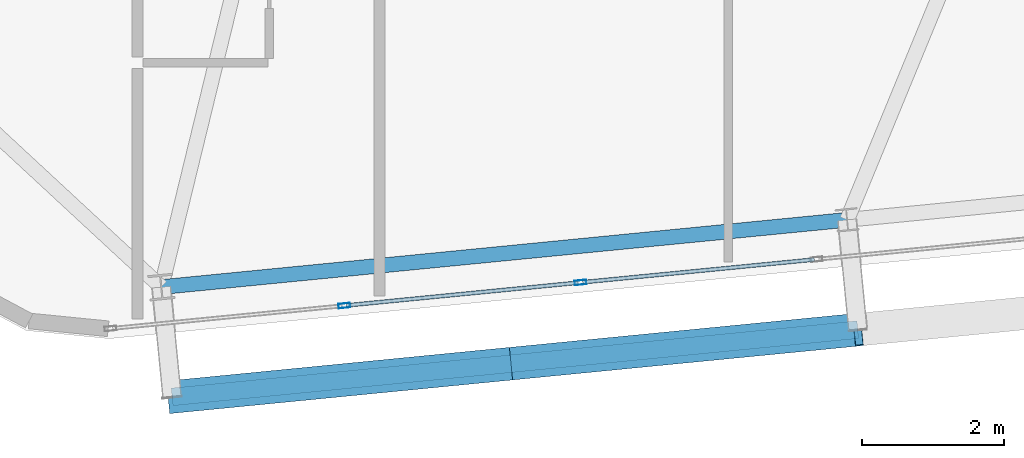
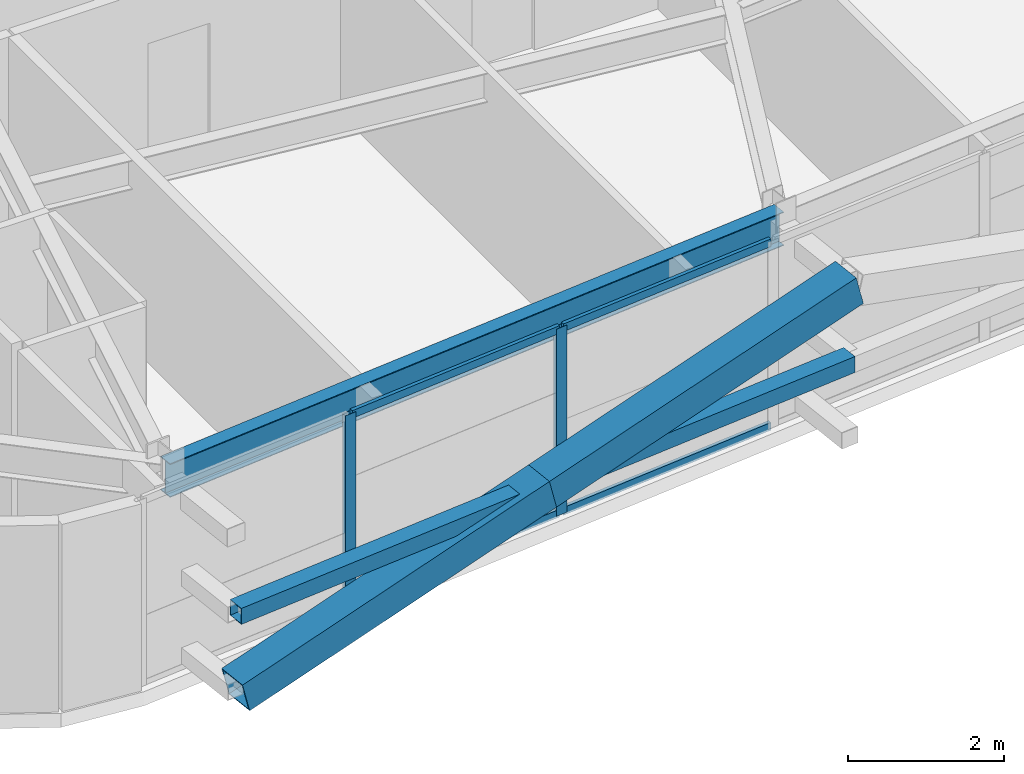
# One storey, part 6 of 53: 9 members, 1 beam, 1 element without a shape of its own.
"""IFC4 building model written with IfcOpenShell, lengths in metres."""

from ifc_helpers import new_model, si_unit, direction, frame, origin, origin_2d, place, context, subcontext, project, spatial, hollow_rectangle, i_section, extrude, source, transform, mapped, material, layer, layer_set, material_profile, profile_set, type_object, element, aggregate, save


model = new_model("IFC4")

# Units and contexts
model_context = context("Model", 3, precision=1e-05, world=origin(), true_north=direction((0.0, 1.0)))
body_context = subcontext(model_context, "Body", "Model", "MODEL_VIEW")
ifc_project = project(units=[si_unit("LENGTHUNIT", "METRE"), si_unit("AREAUNIT", "SQUARE_METRE"), si_unit("VOLUMEUNIT", "CUBIC_METRE"), si_unit("PLANEANGLEUNIT", "RADIAN"), si_unit("MASSUNIT", "GRAM", prefix="KILO")], contexts=[model_context])

# Site, building, storey
site_placement = place(None, origin())
site = spatial("IfcSite", under=ifc_project, at=site_placement, CompositionType="ELEMENT")
building_placement = place(site_placement, origin())
building = spatial("IfcBuilding", under=site, at=building_placement, Name="Taldren Reach Tower", CompositionType="ELEMENT")
storey_placement = place(building_placement, frame((0.0, 0.0, 68.25)))
storey = spatial("IfcBuildingStorey", under=building, at=storey_placement, Name="L20", CompositionType="ELEMENT", Elevation=68.25)

# Beam
ifc_material_1 = material(Name="Steel Gr 350 (350PLUS)", Category="steel")
ifc_material_profile_1 = material_profile(ifc_material_1, i_section(OverallWidth=0.208984375, OverallDepth=0.528076171875, WebThickness=0.009521484375, FlangeThickness=0.01318359375, at=origin_2d()), Name="530UB82.0")
ifc_profile_set_1 = profile_set([ifc_material_profile_1], Name="Steel Gr 350 (350PLUS)")
beam_type = type_object("IfcBeamType", Name="SP-UB530B", PredefinedType="SPANDREL", material=ifc_profile_set_1)
shared_shape_1 = source(origin(), body_context, "Body", "SweptSolid", [
    extrude(i_section(OverallWidth=0.208984375, OverallDepth=0.528076171875, WebThickness=0.009521484375, FlangeThickness=0.01318359375, at=origin_2d()), origin(), (0.0, 0.0, 1.0), 9.679931640625),
])
beam_placement = place(storey_placement, frame((14.93408203125, -0.079833984375, 2.666015625), z_axis=(0.995227612658, 0.097580730699, 0.0), x_axis=(-0.097580730699, 0.995227612658, 0.0)))
element("IfcBeam", 1, at=beam_placement, inside=storey, type_object=beam_type, Name="Perimeter spandrel B2 S1-S2 L20", PredefinedType="SPANDREL", context=body_context, shape_type="MappedRepresentation", body=[
    mapped(shared_shape_1, transform((0.0, 0.0, 0.0), scale=1.0)),
])

# Members
ifc_material_2 = material(Name="Steel Gr 450 (C450L0)", Category="steel")
ifc_material_profile_2 = material_profile(ifc_material_2, hollow_rectangle(XDim=0.4599609375, YDim=0.4599609375, WallThickness=0.01611328125, at=origin_2d()), Name="460x460x16.0SHS")
ifc_profile_set_2 = profile_set([ifc_material_profile_2], Name="Steel Gr 450 (C450L0)")
member_type_1 = type_object("IfcMemberType", Name="MB-EXO457", PredefinedType="BRACE", material=ifc_profile_set_2)
shared_shape_2 = source(origin(), body_context, "Body", "SweptSolid", [
    extrude(hollow_rectangle(XDim=0.4599609375, YDim=0.4599609375, WallThickness=0.01611328125, at=origin_2d()), origin(), (0.0, 0.0, 1.0), 4.990234375),
])
for number, where, z_axis, x_axis, name in (
    (2, (15.08544921875, -1.62255859375, 0.219970703125), (0.965271056716, 0.094667992638, 0.243494883389), (-0.097605711627, 0.995225162995, 0.0), "Exoskeleton Diagrid Brace B2-S1 L20"),
    (3, (19.90234375, -1.150146484375, 1.43505859375), (0.965287024526, 0.094620633828, 0.24344998652), (-0.097555749586, 0.995230061706, 0.0), "Exoskeleton Diagrid Brace B2-S1 L20"),
):
    element("IfcMember", number, at=place(storey_placement, frame(where, z_axis=z_axis, x_axis=x_axis)), inside=storey, type_object=member_type_1, Name=name, PredefinedType="BRACE", context=body_context, shape_type="MappedRepresentation", body=[
        mapped(shared_shape_2, transform((0.0, 0.0, 0.0), scale=1.0)),
    ])
ifc_material_3 = material(Name="Steel Gr 350 (C350L0)", Category="steel")
ifc_material_profile_3 = material_profile(ifc_material_3, hollow_rectangle(XDim=0.25, YDim=0.25, WallThickness=0.010009765625, at=origin_2d()), Name="250x250x10.0SHS")
ifc_profile_set_3 = profile_set([ifc_material_profile_3], Name="Steel Gr 350 (C350L0)")
member_type_2 = type_object("IfcMemberType", Name="MB-POST250", PredefinedType="POST", material=ifc_profile_set_3)
shared_shape_3 = source(origin(), body_context, "Body", "SweptSolid", [
    extrude(hollow_rectangle(XDim=0.25, YDim=0.25, WallThickness=0.010009765625, at=origin_2d()), origin(), (0.0, 0.0, 1.0), 9.679931640625),
])
member_1_placement = place(storey_placement, frame((15.08544921875, -1.62255859375, 1.43505859375), z_axis=(0.995227612658, 0.097580730699, 0.0), x_axis=(-0.097580730699, 0.995227612658, 0.0)))
element("IfcMember", 4, at=member_1_placement, inside=storey, type_object=member_type_2, Name="Exoskeleton mid-height ring chord B2-S1 L20", PredefinedType="POST", context=body_context, shape_type="MappedRepresentation", body=[
    mapped(shared_shape_3, transform((0.0, 0.0, 0.0), scale=1.0)),
])

# Curtain wall, members
ifc_material_4 = material(Name="Aluminium and Low-E Glass Unitised System", Category="aluminium")
ifc_layer = layer(ifc_material_4, 0.159912109375)
ifc_layer_set = layer_set([ifc_layer], Name="Aluminium and Low-E Glass Unitised System")
curtain_wall_type = type_object("IfcCurtainWallType", Name="CW-SYS-3", PredefinedType="NOTDEFINED", material=ifc_layer_set)
curtain_wall_placement = place(storey_placement, origin())
curtain_wall = element("IfcCurtainWall", 5, at=curtain_wall_placement, inside=storey, type_object=curtain_wall_type, Name="Unitised curtain wall CW-L20-S", PredefinedType="NOTDEFINED")
ifc_material_5 = material(Name="Anodised Aluminium 6063-T6", Category="aluminium")
ifc_material_profile_4 = material_profile(ifc_material_5, hollow_rectangle(XDim=0.06494140625, YDim=0.1650390625, WallThickness=0.00390625, at=origin_2d()), Name="ALU-165x65x4RHS")
ifc_profile_set_4 = profile_set([ifc_material_profile_4], Name="Anodised Aluminium 6063-T6")
member_type_3 = type_object("IfcMemberType", Name="CW-MUL-165", PredefinedType="MULLION", material=ifc_profile_set_4)
shared_shape_4 = source(origin(), body_context, "Body", "SweptSolid", [
    extrude(hollow_rectangle(XDim=0.06494140625, YDim=0.1650390625, WallThickness=0.00390625, at=origin_2d()), origin(), (0.0, 0.0, 1.0), 2.929931640625),
])
member_2_placement = place(storey_placement, frame((17.505126953125, -0.34033203125, 0.0), z_axis=(0.0, 0.0, 1.0), x_axis=(-0.097582999046, 0.995227390247, 0.0)))
member_2 = element("IfcMember", 6, at=member_2_placement, type_object=member_type_3, Name="CW-3 mullion 2", PredefinedType="MULLION", context=body_context, shape_type="MappedRepresentation", body=[
    mapped(shared_shape_4, transform((0.0, 0.0, 0.0), scale=1.0)),
])
member_3_placement = place(storey_placement, frame((20.822509765625, -0.014892578125, 0.0), z_axis=(0.0, 0.0, 1.0), x_axis=(-0.097582999046, 0.995227390247, 0.0)))
member_3 = element("IfcMember", 7, at=member_3_placement, type_object=member_type_3, Name="CW-3 mullion 3", PredefinedType="MULLION", context=body_context, shape_type="MappedRepresentation", body=[
    mapped(shared_shape_4, transform((0.0, 0.0, 0.0), scale=1.0)),
])
ifc_material_profile_5 = material_profile(ifc_material_5, hollow_rectangle(XDim=0.054931640625, YDim=0.1201171875, WallThickness=0.0029296875, at=origin_2d()), Name="ALU-120x55x3RHS")
ifc_profile_set_5 = profile_set([ifc_material_profile_5], Name="Anodised Aluminium 6063-T6")
member_type_4 = type_object("IfcMemberType", Name="CW-TRN-135", PredefinedType="USERDEFINED", material=ifc_profile_set_5)
shared_shape_5 = source(origin(), body_context, "Body", "SweptSolid", [
    extrude(hollow_rectangle(XDim=0.054931640625, YDim=0.1201171875, WallThickness=0.0029296875, at=origin_2d()), origin(), (0.0, 0.0, 1.0), 3.268310546875),
])
member_4_placement = place(storey_placement, frame((17.53759765625, -0.337158203125, 0.027587890625), z_axis=(0.995222549564, 0.097632355496, 0.0), x_axis=(-0.097632355496, 0.995222549564, 0.0)))
member_4 = element("IfcMember", 8, at=member_4_placement, type_object=member_type_4, Name="CW-3 transom 2.1", ObjectType="TRANSOM", PredefinedType="USERDEFINED", context=body_context, shape_type="MappedRepresentation", body=[
    mapped(shared_shape_5, transform((0.0, 0.0, 0.0), scale=1.0)),
])
member_5_placement = place(storey_placement, frame((17.53759765625, -0.337158203125, 2.902587890625), z_axis=(0.995222549564, 0.097632355496, 0.0), x_axis=(-0.097632355496, 0.995222549564, 0.0)))
member_5 = element("IfcMember", 9, at=member_5_placement, type_object=member_type_4, Name="CW-3 transom 2.2", ObjectType="TRANSOM", PredefinedType="USERDEFINED", context=body_context, shape_type="MappedRepresentation", body=[
    mapped(shared_shape_5, transform((0.0, 0.0, 0.0), scale=1.0)),
])
member_6_placement = place(storey_placement, frame((20.85498046875, -0.01171875, 0.027587890625), z_axis=(0.99522980512, 0.097558367146, 0.0), x_axis=(-0.097558367146, 0.99522980512, 0.0)))
member_6 = element("IfcMember", 10, at=member_6_placement, type_object=member_type_4, Name="CW-3 transom 3.1", ObjectType="TRANSOM", PredefinedType="USERDEFINED", context=body_context, shape_type="MappedRepresentation", body=[
    mapped(shared_shape_5, transform((0.0, 0.0, 0.0), scale=1.0)),
])
member_7_placement = place(storey_placement, frame((20.85498046875, -0.01171875, 2.902587890625), z_axis=(0.99522980512, 0.097558367146, 0.0), x_axis=(-0.097558367146, 0.99522980512, 0.0)))
member_7 = element("IfcMember", 11, at=member_7_placement, type_object=member_type_4, Name="CW-3 transom 3.2", ObjectType="TRANSOM", PredefinedType="USERDEFINED", context=body_context, shape_type="MappedRepresentation", body=[
    mapped(shared_shape_5, transform((0.0, 0.0, 0.0), scale=1.0)),
])
aggregate(curtain_wall, [member_2, member_3, member_4, member_5, member_6, member_7])

save(model, "model.ifc")
